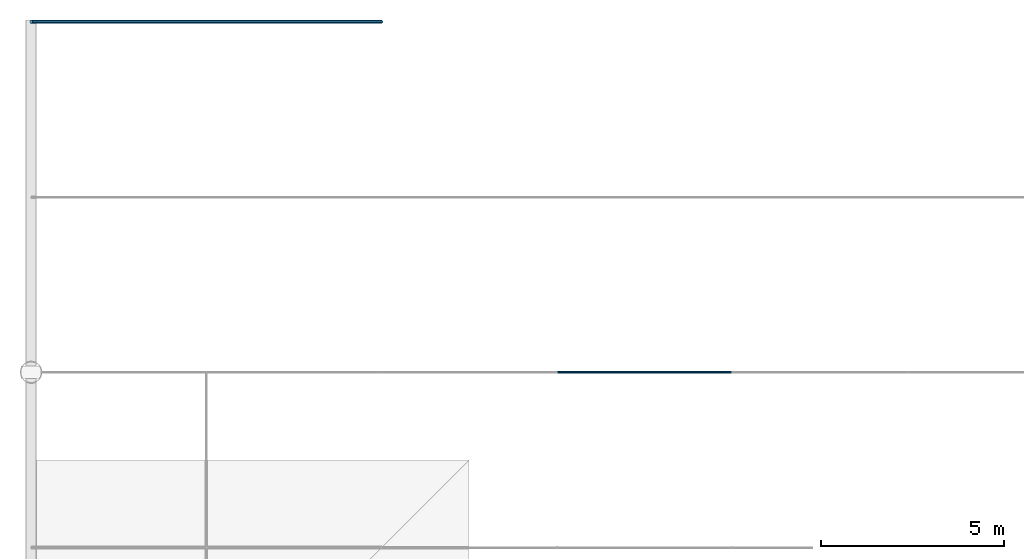
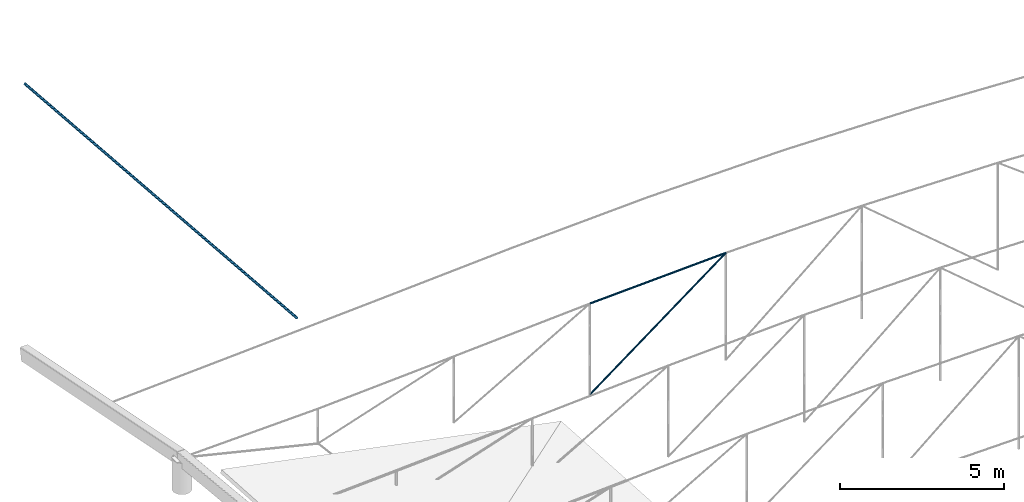
# One storey, part 31 of 50: 3 members.
"""IFC4 building model written with IfcOpenShell, lengths in metres."""

from ifc_helpers import new_model, si_unit, direction, frame, origin, origin_2d, place, context, subcontext, project, spatial, circle, extrude, material, material_profile, profile_set, type_object, element, save


model = new_model("IFC4")

# Units and contexts
model_context = context("Model", 3, precision=1e-05, world=origin(), true_north=direction((0.0, 1.0)))
body_context = subcontext(model_context, "Body", "Model", "MODEL_VIEW")
ifc_project = project(units=[si_unit("LENGTHUNIT", "METRE"), si_unit("AREAUNIT", "SQUARE_METRE"), si_unit("VOLUMEUNIT", "CUBIC_METRE"), si_unit("PLANEANGLEUNIT", "RADIAN"), si_unit("MASSUNIT", "GRAM", prefix="KILO")], contexts=[model_context])

# Site, building, storey
site_placement = place(None, origin())
site = spatial("IfcSite", under=ifc_project, at=site_placement, CompositionType="ELEMENT")
building_placement = place(site_placement, origin())
building = spatial("IfcBuilding", under=site, at=building_placement, Name="Zevrakil Square Congress Hotel", CompositionType="ELEMENT")
storey_placement = place(building_placement, frame((0.0, 0.0, 21.5)))
storey = spatial("IfcBuildingStorey", under=building, at=storey_placement, Name="L06", CompositionType="ELEMENT", Elevation=21.5)

# Members
ifc_material_1 = material(Name="Steel S355", Category="steel")
ifc_material_profile_1 = material_profile(ifc_material_1, circle(Radius=0.030029296875, at=origin_2d()), Name="CABLE RD60")
ifc_profile_set_1 = profile_set([ifc_material_profile_1], Name="Steel S355")
member_type_1 = type_object("IfcMemberType", Name="MEM-CABLE-RD60", PredefinedType="USERDEFINED", material=ifc_profile_set_1)
member_1_placement = place(storey_placement, frame((132.0, 103.199951171875, -1.51806640625), z_axis=(0.799174909116, 0.0, 0.601098548192), x_axis=(0.0, 1.0, 0.0)))
element("IfcMember", 1, at=member_1_placement, inside=storey, type_object=member_type_1, Name="Congress cable-truss web diagonal CBD-08-4", ObjectType="ROOF CABLE", PredefinedType="USERDEFINED", context=body_context, shape_type="SweptSolid", body=[
    extrude(circle(Radius=0.030029296875, at=origin_2d()), origin(), (0.0, 0.0, 1.0), 6.00634765625),
])
ifc_material_2 = material(Name="Steel S355", Category="steel")
ifc_material_profile_2 = material_profile(ifc_material_2, circle(Radius=0.033935546875, at=origin_2d()), Name="CABLE RD68")
ifc_profile_set_2 = profile_set([ifc_material_profile_2], Name="Steel S355")
member_type_2 = type_object("IfcMemberType", Name="MEM-CABLE-RD68", PredefinedType="USERDEFINED", material=ifc_profile_set_2)
member_2_placement = place(storey_placement, frame((132.0, 103.199951171875, 1.8798828125), z_axis=(0.999022402478, 0.0, 0.044206779419), x_axis=(0.0, 1.0, 0.0)))
element("IfcMember", 2, at=member_2_placement, inside=storey, type_object=member_type_2, Name="Congress lenticular upper cable chord CBU-08 seg 4", ObjectType="ROOF CABLE", PredefinedType="USERDEFINED", context=body_context, shape_type="SweptSolid", body=[
    extrude(circle(Radius=0.033935546875, at=origin_2d()), origin(), (0.0, 0.0, 1.0), 4.8046875),
])
ifc_material_3 = material(Name="Steel S355", Category="steel")
ifc_material_profile_3 = material_profile(ifc_material_3, circle(Radius=0.0439453125, at=origin_2d()), Name="CABLE RD88")
ifc_profile_set_3 = profile_set([ifc_material_profile_3], Name="Steel S355")
member_type_3 = type_object("IfcMemberType", Name="MEM-CABLE-RD88", PredefinedType="USERDEFINED", material=ifc_profile_set_3)
member_3_placement = place(storey_placement, frame((117.60009765625, 112.800048828125, 9.300048828125), z_axis=(0.621584422805, 0.0, -0.783347180582), x_axis=(0.0, 1.0, 0.0)))
element("IfcMember", 3, at=member_3_placement, inside=storey, type_object=member_type_3, Name="Mast MS-04 locked-coil stay cable CS-41", ObjectType="ROOF CABLE", PredefinedType="USERDEFINED", context=body_context, shape_type="SweptSolid", body=[
    extrude(circle(Radius=0.0439453125, at=origin_2d()), origin(), (0.0, 0.0, 1.0), 15.444091796875),
])

save(model, "model.ifc")
